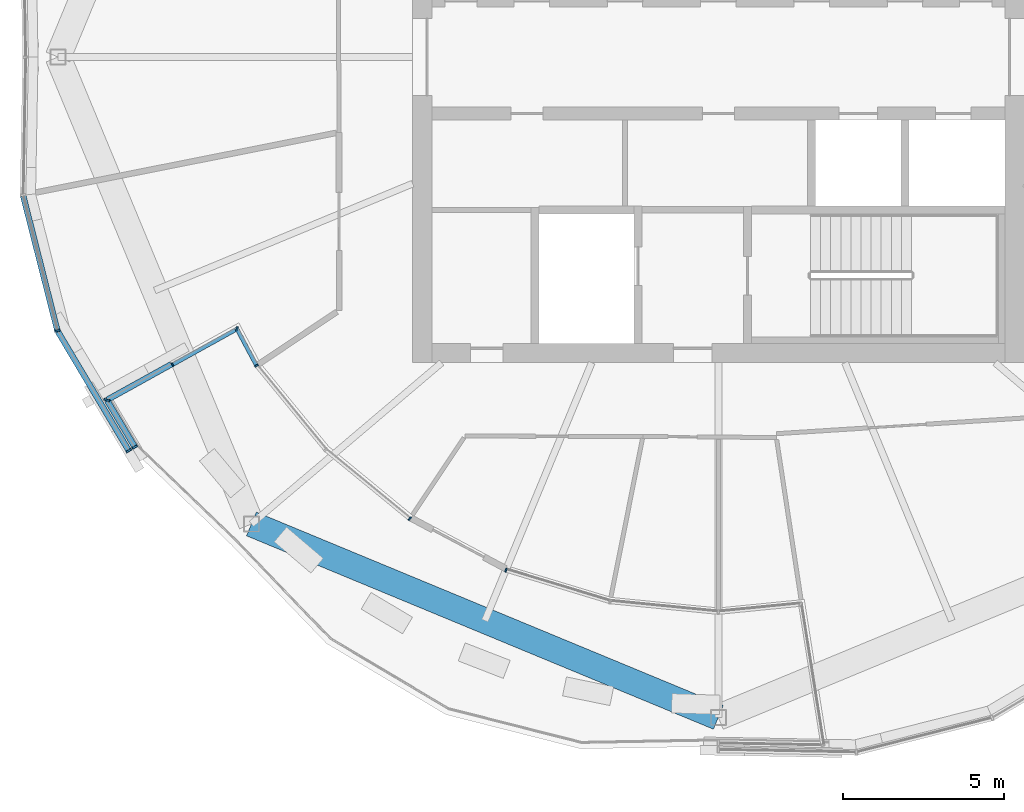
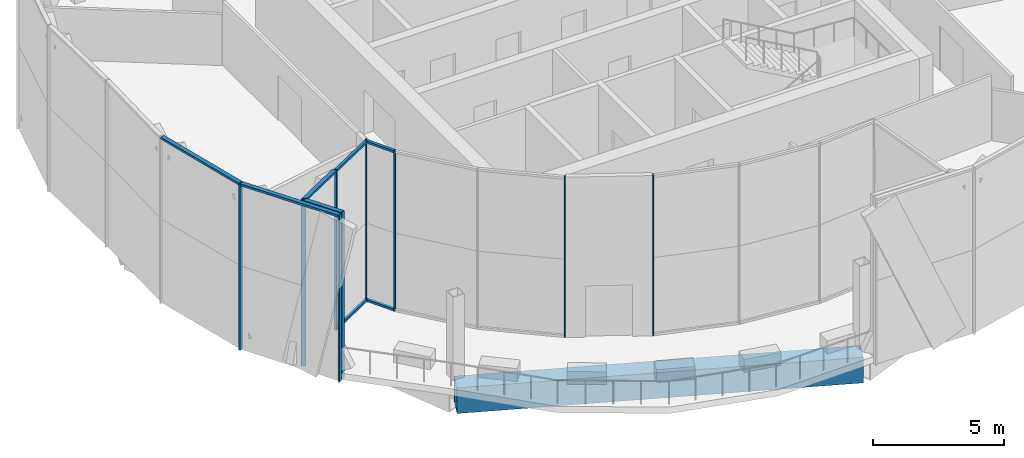
# One storey, part 3 of 27: 17 members, 1 beam, 6 elements without a shape of their own.
"""IFC4 building model written with IfcOpenShell, lengths in metres."""

from ifc_helpers import new_model, si_unit, direction, frame, origin, origin_2d, place, context, subcontext, project, spatial, rectangle, hollow_rectangle, extrude, material, material_profile, profile_set, type_object, element, aggregate, save


model = new_model("IFC4")

# Units and contexts
model_context = context("Model", 3, precision=1e-05, world=origin(), true_north=direction((0.0, 1.0)))
body_context = subcontext(model_context, "Body", "Model", "MODEL_VIEW")
ifc_project = project(units=[si_unit("LENGTHUNIT", "METRE"), si_unit("AREAUNIT", "SQUARE_METRE"), si_unit("VOLUMEUNIT", "CUBIC_METRE"), si_unit("PLANEANGLEUNIT", "RADIAN"), si_unit("MASSUNIT", "GRAM", prefix="KILO")], contexts=[model_context])

# Site, building, storey
site_placement = place(None, origin())
site = spatial("IfcSite", under=ifc_project, at=site_placement, CompositionType="ELEMENT")
building_placement = place(site_placement, origin())
building = spatial("IfcBuilding", under=site, at=building_placement, Name="Ogive Gate Towers", CompositionType="ELEMENT")
storey_placement = place(building_placement, frame((0.0, 0.0, 189.0)))
storey = spatial("IfcBuildingStorey", under=building, at=storey_placement, Name="L45", CompositionType="ELEMENT", Elevation=189.0)

# Beam
ifc_material_1 = material(Name="Steel SM460", Category="steel")
ifc_material_profile_1 = material_profile(ifc_material_1, hollow_rectangle(XDim=0.800048828125, YDim=1.199951171875, WallThickness=0.050048828125, at=origin_2d()), Name="BX 1200x800x50")
ifc_profile_set_1 = profile_set([ifc_material_profile_1], Name="Steel SM460")
beam_type = type_object("IfcBeamType", Name="Edge girder BX 1200x800x50", PredefinedType="BEAM", material=ifc_profile_set_1)
beam_placement = place(storey_placement, frame((-50.509765625, -14.509765625, -0.89990234375), z_axis=(0.923877006731, -0.38268953008, 0.0), x_axis=(0.38268953008, 0.923877006731, 0.0)))
element("IfcBeam", 1, at=beam_placement, inside=storey, type_object=beam_type, Name="T1/L45/SBM017", PredefinedType="BEAM", context=body_context, shape_type="SweptSolid", body=[
    extrude(hollow_rectangle(XDim=0.800048828125, YDim=1.199951171875, WallThickness=0.050048828125, at=origin_2d()), origin(), (0.0, 0.0, 1.0), 15.705322265625),
])

# Curtain wall, members
ifc_material_2 = material(Name="Pale metal aluminium", Category="aluminium")
curtain_wall_type_1 = type_object("IfcCurtainWallType", Name="Sky garden glazing", PredefinedType="NOTDEFINED", material=ifc_material_2)
curtain_wall_1_placement = place(storey_placement, origin())
curtain_wall_1 = element("IfcCurtainWall", 2, at=curtain_wall_1_placement, inside=storey, type_object=curtain_wall_type_1, Name="CW4 T1 ECW01", PredefinedType="NOTDEFINED")
ifc_material_profile_2 = material_profile(ifc_material_2, rectangle(XDim=0.1201171875, YDim=0.050048828125, at=origin_2d()), Name="50 x 120 aluminium box")
ifc_profile_set_2 = profile_set([ifc_material_profile_2], Name="Pale metal aluminium")
member_type_1 = type_object("IfcMemberType", Name="Sky garden glazing mullion 50 x 120", PredefinedType="MULLION", material=ifc_profile_set_2)
member_1_placement = place(storey_placement, frame((-50.3515625, -9.58935546875, 0.0), z_axis=(0.0, 0.0, 1.0), x_axis=(0.831459915646, 0.555584744817, 0.0)))
member_1 = element("IfcMember", 3, at=member_1_placement, type_object=member_type_1, Name="CW4 mullion", PredefinedType="MULLION", context=body_context, shape_type="SweptSolid", body=[
    extrude(rectangle(XDim=0.1201171875, YDim=0.050048828125, at=origin_2d()), origin(), (0.0, 0.0, 1.0), 7.5),
])
member_2_placement = place(storey_placement, frame((-50.954833984375, -8.43603515625, 0.0), z_axis=(0.0, 0.0, 1.0), x_axis=(0.282944155818, 0.959136384821, 0.0)))
member_2 = element("IfcMember", 4, at=member_2_placement, type_object=member_type_1, Name="CW4 mullion", PredefinedType="MULLION", context=body_context, shape_type="SweptSolid", body=[
    extrude(rectangle(XDim=0.1201171875, YDim=0.050048828125, at=origin_2d()), origin(), (0.0, 0.0, 1.0), 7.5),
])
member_3_placement = place(storey_placement, frame((-52.96044921875, -9.561279296875, 0.0), z_axis=(0.0, 0.0, 1.0), x_axis=(-0.484824885166, 0.874611245482, 0.0)))
member_3 = element("IfcMember", 5, at=member_3_placement, type_object=member_type_1, Name="CW4 mullion", PredefinedType="MULLION", context=body_context, shape_type="SweptSolid", body=[
    extrude(rectangle(XDim=0.1201171875, YDim=0.050048828125, at=origin_2d()), origin(), (0.0, 0.0, 1.0), 7.5),
])

# Curtain wall, member
curtain_wall_2_placement = place(storey_placement, origin())
curtain_wall_2 = element("IfcCurtainWall", 6, at=curtain_wall_2_placement, inside=storey, type_object=curtain_wall_type_1, Name="CW4 T1 ECW02", PredefinedType="NOTDEFINED")
member_4_placement = place(storey_placement, frame((-42.6015625, -15.947998046875, 0.0), z_axis=(0.0, 0.0, 1.0), x_axis=(0.290267975451, 0.95694540201, 0.0)))
member_4 = element("IfcMember", 7, at=member_4_placement, type_object=member_type_1, Name="CW4 mullion", PredefinedType="MULLION", context=body_context, shape_type="SweptSolid", body=[
    extrude(rectangle(XDim=0.1201171875, YDim=0.050048828125, at=origin_2d()), origin(), (0.0, 0.0, 1.0), 7.5),
])
aggregate(curtain_wall_2, [member_4])

curtain_wall_3_placement = place(storey_placement, origin())
curtain_wall_3 = element("IfcCurtainWall", 8, at=curtain_wall_3_placement, inside=storey, type_object=curtain_wall_type_1, Name="CW4 T1 ECW02b", PredefinedType="NOTDEFINED")
member_5_placement = place(storey_placement, frame((-45.592529296875, -14.34912109375, 0.0), z_axis=(0.0, 0.0, 1.0), x_axis=(0.634406775645, 0.772999380993, 0.0)))
member_5 = element("IfcMember", 9, at=member_5_placement, type_object=member_type_1, Name="CW4 mullion", PredefinedType="MULLION", context=body_context, shape_type="SweptSolid", body=[
    extrude(rectangle(XDim=0.1201171875, YDim=0.050048828125, at=origin_2d()), origin(), (0.0, 0.0, 1.0), 7.5),
])
aggregate(curtain_wall_3, [member_5])

# Member
ifc_material_profile_3 = material_profile(ifc_material_2, rectangle(XDim=0.1201171875, YDim=0.10009765625, at=origin_2d()), Name="100 x 120 aluminium box")
ifc_profile_set_3 = profile_set([ifc_material_profile_3], Name="Pale metal aluminium")
member_type_2 = type_object("IfcMemberType", Name="Sky garden glazing transom 100 x 120", PredefinedType="USERDEFINED", material=ifc_profile_set_3)
member_6_placement = place(storey_placement, frame((-50.365478515625, -9.56396484375, 7.449951171875), z_axis=(-0.471382402209, 0.881928926211, 0.0), x_axis=(-0.881928926211, -0.471382402209, 0.0)))
member_6 = element("IfcMember", 10, at=member_6_placement, type_object=member_type_2, Name="CW4 transom", ObjectType="TRANSOM", PredefinedType="USERDEFINED", context=body_context, shape_type="SweptSolid", body=[
    extrude(rectangle(XDim=0.1201171875, YDim=0.10009765625, at=origin_2d()), origin(), (0.0, 0.0, 1.0), 1.276123046875),
])

member_7_placement = place(storey_placement, frame((-50.365478515625, -9.56396484375, 0.050048828125), z_axis=(-0.471382402209, 0.881928926211, 0.0), x_axis=(-0.881928926211, -0.471382402209, 0.0)))
member_7 = element("IfcMember", 11, at=member_7_placement, type_object=member_type_2, Name="CW4 transom", ObjectType="TRANSOM", PredefinedType="USERDEFINED", context=body_context, shape_type="SweptSolid", body=[
    extrude(rectangle(XDim=0.1201171875, YDim=0.10009765625, at=origin_2d()), origin(), (0.0, 0.0, 1.0), 1.276123046875),
])

member_8_placement = place(storey_placement, frame((-50.946044921875, -8.444580078125, 7.449951171875), z_axis=(-0.874561363647, -0.48491485976, 0.0), x_axis=(0.48491485976, -0.874561363647, 0.0)))
member_8 = element("IfcMember", 12, at=member_8_placement, type_object=member_type_2, Name="CW4 transom", ObjectType="TRANSOM", PredefinedType="USERDEFINED", context=body_context, shape_type="SweptSolid", body=[
    extrude(rectangle(XDim=0.1201171875, YDim=0.10009765625, at=origin_2d()), origin(), (0.0, 0.0, 1.0), 2.2783203125),
])

member_9_placement = place(storey_placement, frame((-50.946044921875, -8.444580078125, 0.050048828125), z_axis=(-0.874561363647, -0.48491485976, 0.0), x_axis=(0.48491485976, -0.874561363647, 0.0)))
member_9 = element("IfcMember", 13, at=member_9_placement, type_object=member_type_2, Name="CW4 transom", ObjectType="TRANSOM", PredefinedType="USERDEFINED", context=body_context, shape_type="SweptSolid", body=[
    extrude(rectangle(XDim=0.1201171875, YDim=0.10009765625, at=origin_2d()), origin(), (0.0, 0.0, 1.0), 2.2783203125),
])

aggregate(curtain_wall_1, [member_1, member_2, member_6, member_7, member_3, member_8, member_9])

# Curtain wall, member
curtain_wall_type_2 = type_object("IfcCurtainWallType", Name="Tower unitised wall, high zone", PredefinedType="NOTDEFINED", material=ifc_material_2)
curtain_wall_4_placement = place(storey_placement, origin())
curtain_wall_4 = element("IfcCurtainWall", 14, at=curtain_wall_4_placement, inside=storey, type_object=curtain_wall_type_2, Name="CW2 T1 ECW08", PredefinedType="NOTDEFINED")
ifc_material_profile_4 = material_profile(ifc_material_2, rectangle(XDim=0.179931640625, YDim=0.06005859375, at=origin_2d()), Name="60 x 180 aluminium box")
ifc_profile_set_4 = profile_set([ifc_material_profile_4], Name="Pale metal aluminium")
member_type_3 = type_object("IfcMemberType", Name="Tower unitised wall, high zone mullion 60 x 180", PredefinedType="MULLION", material=ifc_profile_set_4)
member_10_placement = place(storey_placement, frame((-56.539306640625, -8.506103515625, -0.300048828125), z_axis=(0.0, 0.0, 1.0), x_axis=(0.969299610881, 0.245882623105, 0.0)))
member_10 = element("IfcMember", 15, at=member_10_placement, type_object=member_type_3, Name="CW2 mullion", PredefinedType="MULLION", context=body_context, shape_type="SweptSolid", body=[
    extrude(rectangle(XDim=0.179931640625, YDim=0.06005859375, at=origin_2d()), origin(), (0.0, 0.0, 1.0), 7.800048828125),
])

# Curtain wall, members
curtain_wall_5_placement = place(storey_placement, origin())
curtain_wall_5 = element("IfcCurtainWall", 16, at=curtain_wall_5_placement, inside=storey, type_object=curtain_wall_type_2, Name="CW2 T1 ECW08b", PredefinedType="NOTDEFINED")
member_11_placement = place(storey_placement, frame((-55.00634765625, -10.65771484375, -0.300048828125), z_axis=(0.0, 0.0, 1.0), x_axis=(-0.965395295139, 0.260790958668, 0.0)))
member_11 = element("IfcMember", 17, at=member_11_placement, type_object=member_type_3, Name="CW2 mullion", PredefinedType="MULLION", context=body_context, shape_type="SweptSolid", body=[
    extrude(rectangle(XDim=0.179931640625, YDim=0.06005859375, at=origin_2d()), origin(), (0.0, 0.0, 1.0), 7.800048828125),
])
member_12_placement = place(storey_placement, frame((-54.13134765625, -12.121826171875, -0.300048828125), z_axis=(0.0, 0.0, 1.0), x_axis=(-0.859263598029, -0.511533057682, 0.0)))
member_12 = element("IfcMember", 18, at=member_12_placement, type_object=member_type_3, Name="CW2 mullion", PredefinedType="MULLION", context=body_context, shape_type="SweptSolid", body=[
    extrude(rectangle(XDim=0.179931640625, YDim=0.06005859375, at=origin_2d()), origin(), (0.0, 0.0, 1.0), 7.800048828125),
])

# Curtain wall, member
curtain_wall_6_placement = place(storey_placement, origin())
curtain_wall_6 = element("IfcCurtainWall", 19, at=curtain_wall_6_placement, inside=storey, type_object=curtain_wall_type_2, Name="CW2 T1 ECW08c", PredefinedType="NOTDEFINED")
member_13_placement = place(storey_placement, frame((-54.3203125, -12.234375, -0.300048828125), z_axis=(0.0, 0.0, 1.0), x_axis=(0.859272525835, 0.511518060625, 0.0)))
member_13 = element("IfcMember", 20, at=member_13_placement, type_object=member_type_3, Name="CW2 mullion", PredefinedType="MULLION", context=body_context, shape_type="SweptSolid", body=[
    extrude(rectangle(XDim=0.179931640625, YDim=0.06005859375, at=origin_2d()), origin(), (0.0, 0.0, 1.0), 7.800048828125),
])

# Member
ifc_material_profile_5 = material_profile(ifc_material_2, rectangle(XDim=0.179931640625, YDim=0.10009765625, at=origin_2d()), Name="100 x 180 aluminium box")
ifc_profile_set_5 = profile_set([ifc_material_profile_5], Name="Pale metal aluminium")
member_type_4 = type_object("IfcMemberType", Name="Tower unitised wall, high zone transom 100 x 180", PredefinedType="USERDEFINED", material=ifc_profile_set_5)
member_14_placement = place(storey_placement, frame((-56.546630859375, -8.47705078125, 7.449951171875), z_axis=(-0.245895816575, 0.969296263993, 0.0), x_axis=(-0.969296263993, -0.245895816575, 0.0)))
member_14 = element("IfcMember", 21, at=member_14_placement, type_object=member_type_4, Name="CW2 transom", ObjectType="TRANSOM", PredefinedType="USERDEFINED", context=body_context, shape_type="SweptSolid", body=[
    extrude(rectangle(XDim=0.179931640625, YDim=0.10009765625, at=origin_2d()), origin(), (0.0, 0.0, 1.0), 4.2890625),
])

aggregate(curtain_wall_4, [member_10, member_14])

member_15_placement = place(storey_placement, frame((-53.001220703125, -9.5498046875, 7.449951171875), z_axis=(-0.87463409924, -0.484783655301, 0.0), x_axis=(0.484783655301, -0.87463409924, 0.0)))
member_15 = element("IfcMember", 22, at=member_15_placement, type_object=member_type_4, Name="CW2 transom", ObjectType="TRANSOM", PredefinedType="USERDEFINED", context=body_context, shape_type="SweptSolid", body=[
    extrude(rectangle(XDim=0.179931640625, YDim=0.10009765625, at=origin_2d()), origin(), (0.0, 0.0, 1.0), 2.268310546875),
])

member_16_placement = place(storey_placement, frame((-54.9921875, -10.67578125, 7.449951171875), z_axis=(0.511538394097, -0.859260421156, 0.0), x_axis=(0.859260421156, 0.511538394097, 0.0)))
member_16 = element("IfcMember", 23, at=member_16_placement, type_object=member_type_4, Name="CW2 transom", ObjectType="TRANSOM", PredefinedType="USERDEFINED", context=body_context, shape_type="SweptSolid", body=[
    extrude(rectangle(XDim=0.179931640625, YDim=0.10009765625, at=origin_2d()), origin(), (0.0, 0.0, 1.0), 1.65283203125),
])

aggregate(curtain_wall_5, [member_11, member_15, member_12, member_16])

member_17_placement = place(storey_placement, frame((-54.335693359375, -12.20849609375, 7.449951171875), z_axis=(-0.511494901937, 0.859286311594, 0.0), x_axis=(-0.859286311594, -0.511494901937, 0.0)))
member_17 = element("IfcMember", 24, at=member_17_placement, type_object=member_type_4, Name="CW2 transom", ObjectType="TRANSOM", PredefinedType="USERDEFINED", context=body_context, shape_type="SweptSolid", body=[
    extrude(rectangle(XDim=0.179931640625, YDim=0.10009765625, at=origin_2d()), origin(), (0.0, 0.0, 1.0), 4.275634765625),
])

aggregate(curtain_wall_6, [member_13, member_17])

save(model, "model.ifc")
